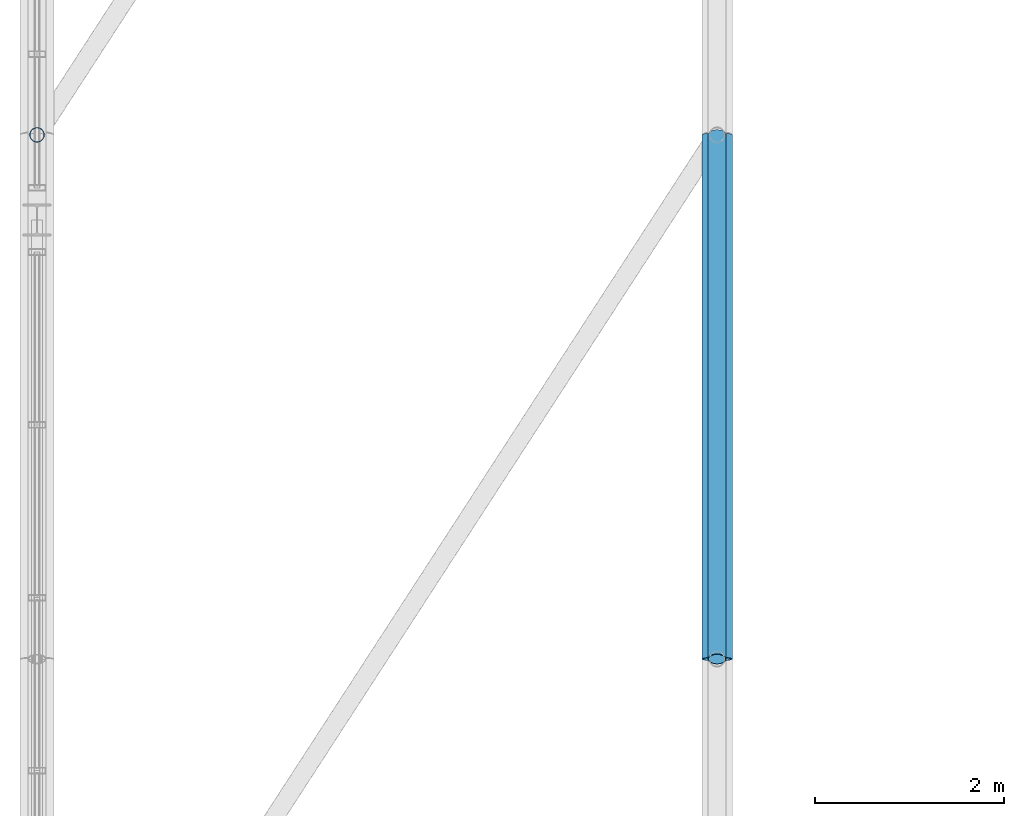
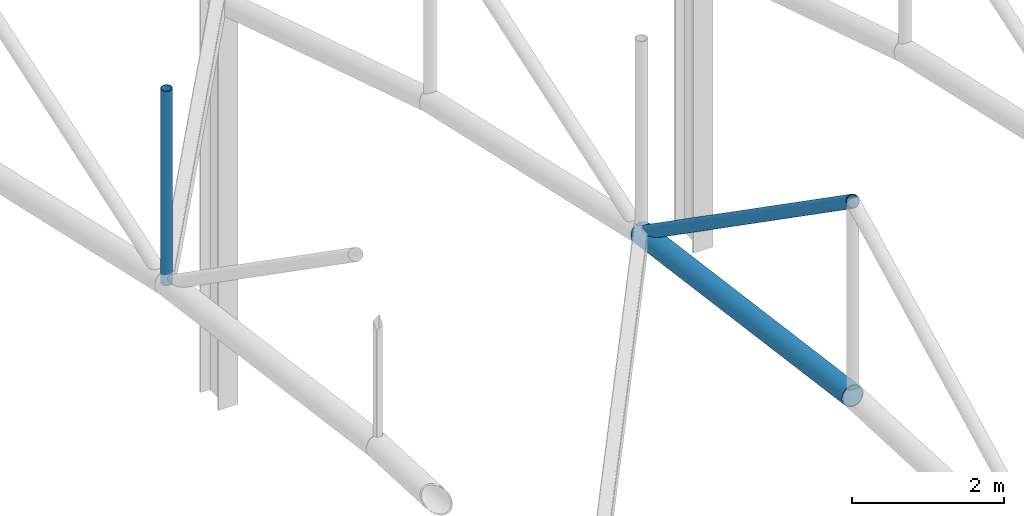
# One storey, part 47 of 153: 3 members.
"""IFC4 building model written with IfcOpenShell, lengths in metres."""

from ifc_helpers import new_model, si_unit, derived_unit, direction, frame, origin, origin_2d, place, context, subcontext, project, spatial, hollow_circle, extrude, material, material_profile, profile_set, type_object, element, save


model = new_model("IFC4")

# Units and contexts
model_context = context("Model", 3, precision=1e-05, world=origin(), true_north=direction((0.0, 1.0)))
body_context = subcontext(model_context, "Body", "Model", "MODEL_VIEW")
ifc_project = project(units=[si_unit("LENGTHUNIT", "METRE"), si_unit("AREAUNIT", "SQUARE_METRE"), si_unit("VOLUMEUNIT", "CUBIC_METRE"), si_unit("PLANEANGLEUNIT", "RADIAN"), si_unit("MASSUNIT", "GRAM", prefix="KILO"), derived_unit("THERMALTRANSMITTANCEUNIT", [(si_unit("POWERUNIT", "WATT"), 1), (si_unit("LENGTHUNIT", "METRE"), -2), (si_unit("THERMODYNAMICTEMPERATUREUNIT", "KELVIN"), -1)])], contexts=[model_context])

# Site, building, storey
site_placement = place(None, origin())
site = spatial("IfcSite", under=ifc_project, at=site_placement, CompositionType="ELEMENT")
building_placement = place(site_placement, origin())
building = spatial("IfcBuilding", under=site, at=building_placement, Name="Keldorne Ridge Multi-Sports Centre", CompositionType="ELEMENT")
storey_placement = place(building_placement, frame((0.0, 0.0, 9.60009765625)))
storey = spatial("IfcBuildingStorey", under=building, at=storey_placement, Name="L02", CompositionType="ELEMENT", Elevation=9.60009765625)

# Members
ifc_material = material(Name="Steel S355", Category="steel")
ifc_material_profile_1 = material_profile(ifc_material, hollow_circle(Radius=0.161865234375, WallThickness=0.01611328125, at=origin_2d()), Name="CHS 323.9x16")
ifc_profile_set_1 = profile_set([ifc_material_profile_1], Name="Steel S355")
member_type_1 = type_object("IfcMemberType", Name="MEM-TC-02", PredefinedType="CHORD", material=ifc_profile_set_1)
member_1_placement = place(storey_placement, frame((13.199951171875, 37.35009765625, 10.1298828125), z_axis=(0.0, 0.990991804939, -0.133922524405), x_axis=(-1.0, 0.0, 0.0)))
element("IfcMember", 1, at=member_1_placement, inside=storey, type_object=member_type_1, Name="Main Hall ROOF TRUSS AT-02 bottom chord 6", PredefinedType="CHORD", context=body_context, shape_type="SweptSolid", body=[
    extrude(hollow_circle(Radius=0.161865234375, WallThickness=0.01611328125, at=origin_2d()), origin(), (0.0, 0.0, 1.0), 5.600341796875),
])
ifc_material_profile_2 = material_profile(ifc_material, hollow_circle(Radius=0.096923828125, WallThickness=0.010009765625, at=origin_2d()), Name="CHS 193.7x10")
ifc_profile_set_2 = profile_set([ifc_material_profile_2], Name="Steel S355")
member_type_2 = type_object("IfcMemberType", Name="MEM-TD-01", PredefinedType="BRACE", material=ifc_profile_set_2)
member_2_placement = place(storey_placement, frame((13.199951171875, 37.35009765625, 13.25), z_axis=(0.0, 0.820254519762, -0.571998708748), x_axis=(-1.0, 0.0, 0.0)))
element("IfcMember", 2, at=member_2_placement, inside=storey, type_object=member_type_2, Name="Main Hall ROOF TRUSS AT-02 diagonal 6", PredefinedType="BRACE", context=body_context, shape_type="SweptSolid", body=[
    extrude(hollow_circle(Radius=0.096923828125, WallThickness=0.010009765625, at=origin_2d()), origin(), (0.0, 0.0, 1.0), 6.765869140625),
])
ifc_material_profile_3 = material_profile(ifc_material, hollow_circle(Radius=0.07958984375, WallThickness=0.008056640625, at=origin_2d()), Name="CHS 159x8")
ifc_profile_set_3 = profile_set([ifc_material_profile_3], Name="Steel S355")
member_type_3 = type_object("IfcMemberType", Name="MEM-TV-06", PredefinedType="STRUT", material=ifc_profile_set_3)
member_3_placement = place(storey_placement, frame((6.0, 42.89990234375, 11.099853515625), z_axis=(0.0, 0.0, 1.0), x_axis=(1.0, 0.0, 0.0)))
element("IfcMember", 3, at=member_3_placement, inside=storey, type_object=member_type_3, Name="Main Hall ROOF TRUSS AT-01 vertical 7", PredefinedType="STRUT", context=body_context, shape_type="SweptSolid", body=[
    extrude(hollow_circle(Radius=0.07958984375, WallThickness=0.008056640625, at=origin_2d()), origin(), (0.0, 0.0, 1.0), 3.1201171875),
])

save(model, "model.ifc")
